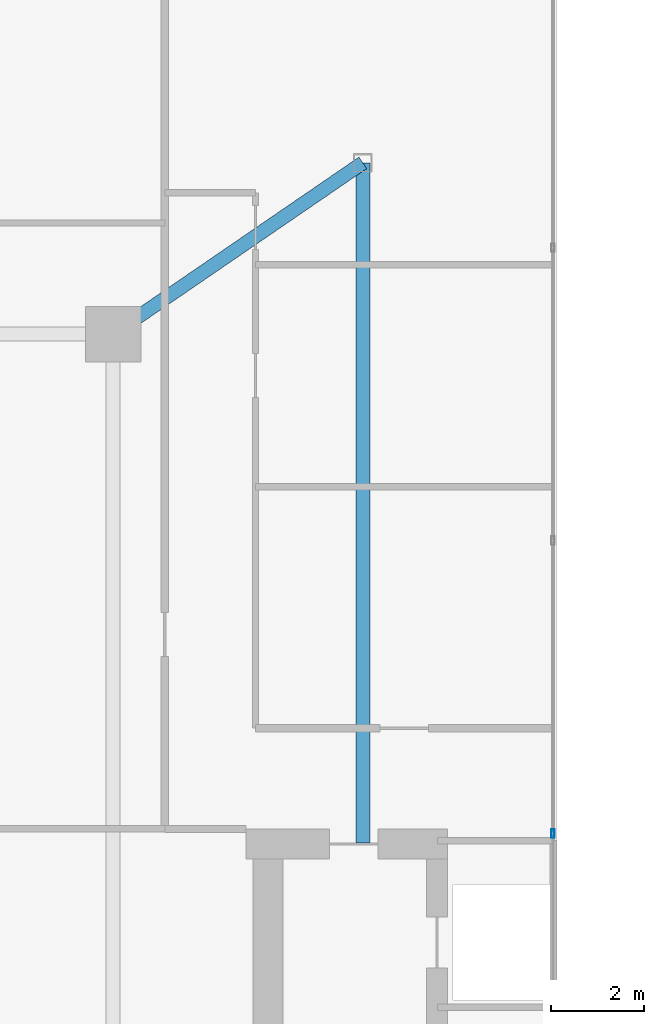
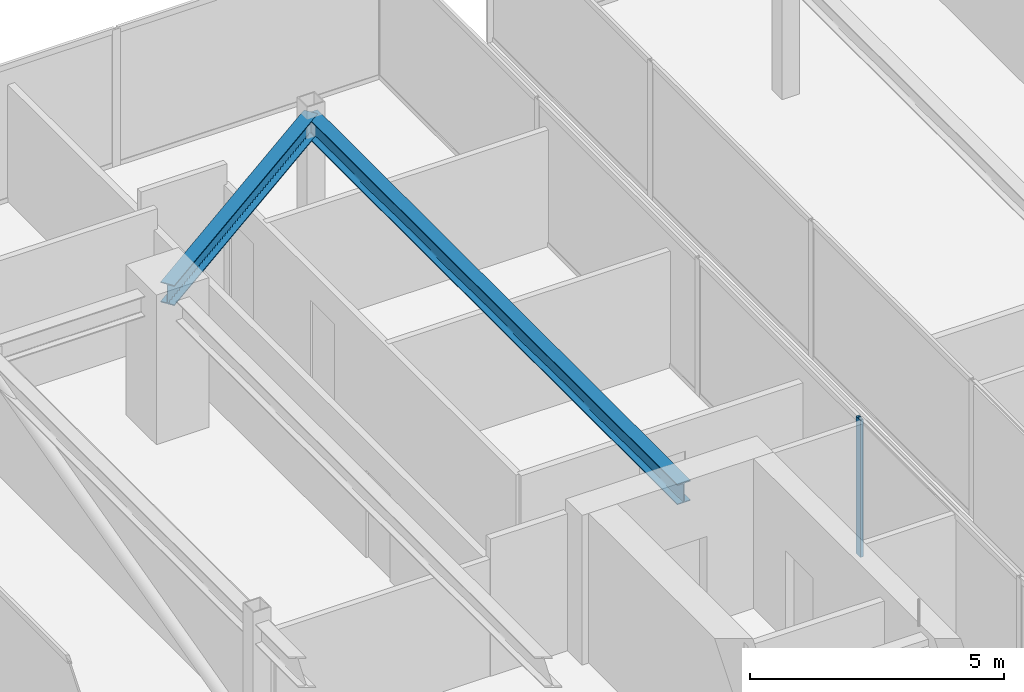
# One storey, part 11 of 25: 2 beams, 1 member, 1 element without a shape of its own.
"""IFC4 building model written with IfcOpenShell, lengths in metres."""

import ifcopenshell
import ifcopenshell.guid

model = None  # the IFC model being written
_history = None  # IfcOwnerHistory: only IFC2X3 demands one
_inside = {}  # id of a spatial element -> (the spatial element, [elements in it])
_under = {}  # id of a project, library or spatial element -> (it, [spatial elements below it])
_declared = {}  # id of a project -> (the project, [libraries it declares])
_typed = {}  # id of a type object -> (the type object, [elements of that type])
_made_of = {}  # id of a material, layer set ... -> (it, [elements and type objects made of it])


def new_model(schema):
    """Start an empty IFC model of exactly this schema.

    Asked for "IFC4X3", IfcOpenShell would pick the latest addendum, in which some entities
    have other attributes; the version numbers below select the first issue.
    IFC2X3 requires an IfcOwnerHistory on every rooted entity: one is made here for all.
    """
    global model, _history
    if schema == "IFC4X3":
        model = ifcopenshell.file(schema_version=(4, 3, 0, 0))
    else:
        model = ifcopenshell.file(schema=schema)
    _inside.clear()
    _under.clear()
    _declared.clear()
    _typed.clear()
    _made_of.clear()
    _history = None
    if model.schema == "IFC2X3":
        org = make("IfcOrganization", Name="unknown")
        user = make(
            "IfcPersonAndOrganization",
            ThePerson=make("IfcPerson", FamilyName="unknown"),
            TheOrganization=org,
        )
        app = make(
            "IfcApplication",
            ApplicationDeveloper=org,
            Version="unknown",
            ApplicationFullName="unknown",
            ApplicationIdentifier="unknown",
        )
        _history = make(
            "IfcOwnerHistory",
            OwningUser=user,
            OwningApplication=app,
            ChangeAction="ADDED",
            CreationDate=0,
        )
    return model


def make(cls, **values):
    """One entity of the class cls with the attributes given. An attribute that is None is left unset."""
    return model.create_entity(
        cls, **{name: value for name, value in values.items() if value is not None}
    )


def rooted(cls, **values):
    """An entity with a GlobalId (a new one), such as an element, a storey or a relation."""
    return make(cls, GlobalId=ifcopenshell.guid.new(), OwnerHistory=_history, **values)


def si_unit(unit_type, name, prefix=None):
    """IfcSIUnit, for example si_unit("LENGTHUNIT", "METRE", prefix="MILLI")."""
    return make("IfcSIUnit", UnitType=unit_type, Prefix=prefix, Name=name)


def assignment(units):
    """IfcUnitAssignment: the units of a project."""
    return None if units is None else make("IfcUnitAssignment", Units=units)


def point(xyz):
    """IfcCartesianPoint."""
    return None if xyz is None else make("IfcCartesianPoint", Coordinates=xyz)


def direction(xyz):
    """IfcDirection."""
    return None if xyz is None else make("IfcDirection", DirectionRatios=xyz)


def frame(location, z_axis=None, x_axis=None):
    """IfcAxis2Placement3D, a coordinate frame: its origin and axes. An axis left out is left unset."""
    return make(
        "IfcAxis2Placement3D",
        Location=point(location),
        Axis=direction(z_axis),
        RefDirection=direction(x_axis),
    )


def frame_2d(location, x_axis=None):
    """IfcAxis2Placement2D, a coordinate frame in the plane: its origin and x axis."""
    return make(
        "IfcAxis2Placement2D", Location=point(location), RefDirection=direction(x_axis)
    )


def origin():
    """The frame at (0, 0, 0) with its axes left unset."""
    return frame((0.0, 0.0, 0.0))


def origin_2d():
    """The frame at (0, 0) in the plane with its x axis left unset."""
    return frame_2d((0.0, 0.0))


def place(relative_to, where):
    """IfcLocalPlacement: puts the frame where relative to a parent placement (None: the world)."""
    return make(
        "IfcLocalPlacement", PlacementRelTo=relative_to, RelativePlacement=where
    )


def context(
    kind, dimensions, precision=None, world=None, true_north=None, identifier=None
):
    """IfcGeometricRepresentationContext, for example the 3D "Model" context."""
    return make(
        "IfcGeometricRepresentationContext",
        ContextIdentifier=identifier,
        ContextType=kind,
        CoordinateSpaceDimension=dimensions,
        Precision=precision,
        WorldCoordinateSystem=world,
        TrueNorth=true_north,
    )


def subcontext(parent, identifier, kind, view, scale=None):
    """IfcGeometricRepresentationSubContext, for example "Body" below "Model"."""
    return make(
        "IfcGeometricRepresentationSubContext",
        ContextIdentifier=identifier,
        ContextType=kind,
        ParentContext=parent,
        TargetScale=scale,
        TargetView=view,
    )


def project(units=None, contexts=None):
    """IfcProject with its units and contexts."""
    return rooted(
        "IfcProject",
        Name="project",
        RepresentationContexts=contexts,
        UnitsInContext=assignment(units),
    )


def spatial(cls, under=None, at=None, **own):
    """A site, building, storey or space (cls), placed at a placement, below another one or the project."""
    s = rooted(cls, ObjectPlacement=at, **own)
    if under is not None:
        _under.setdefault(under.id(), (under, []))[1].append(s)
    return s


def profile(cls, at=None, kind="AREA", **sizes):
    """A parametric profile (cls). Its sizes go by their IFC names, for example OverallWidth=200.0."""
    return make(cls, ProfileType=kind, Position=at, **sizes)


def hollow_rectangle(**sizes):
    """IfcRectangleHollowProfileDef."""
    return profile("IfcRectangleHollowProfileDef", **sizes)


def i_section(**sizes):
    """IfcIShapeProfileDef."""
    return profile("IfcIShapeProfileDef", **sizes)


def extrude(swept, where, along, depth):
    """IfcExtrudedAreaSolid: the profile swept, set in the frame where, extruded along a direction by depth."""
    return make(
        "IfcExtrudedAreaSolid",
        SweptArea=swept,
        Position=where,
        ExtrudedDirection=direction(along),
        Depth=depth,
    )


def shape(context_of_items, identifier, shape_type, items):
    """IfcShapeRepresentation: the items that make up one representation, for example the "Body"."""
    return make(
        "IfcShapeRepresentation",
        ContextOfItems=context_of_items,
        RepresentationIdentifier=identifier,
        RepresentationType=shape_type,
        Items=items,
    )


def source(mapping_origin, context_of_items, identifier, shape_type, items):
    """IfcRepresentationMap: a shape defined once, which mapped items show again and again."""
    return make(
        "IfcRepresentationMap",
        MappingOrigin=mapping_origin,
        MappedRepresentation=shape(context_of_items, identifier, shape_type, items),
    )


def transform(
    local_origin,
    x_axis=None,
    y_axis=None,
    z_axis=None,
    scale=None,
    scale2=None,
    scale3=None,
    uniform=True,
):
    """IfcCartesianTransformationOperator3D, or its non-uniform kind. x_axis, y_axis, z_axis: its Axis1, 2, 3."""
    if uniform:
        return make(
            "IfcCartesianTransformationOperator3D",
            Axis1=direction(x_axis),
            Axis2=direction(y_axis),
            LocalOrigin=point(local_origin),
            Scale=scale,
            Axis3=direction(z_axis),
        )
    return make(
        "IfcCartesianTransformationOperator3DnonUniform",
        Axis1=direction(x_axis),
        Axis2=direction(y_axis),
        LocalOrigin=point(local_origin),
        Scale=scale,
        Axis3=direction(z_axis),
        Scale2=scale2,
        Scale3=scale3,
    )


def mapped(mapping_source, mapping_target):
    """IfcMappedItem: shows the shape of a source again, moved by a transform."""
    return make(
        "IfcMappedItem", MappingSource=mapping_source, MappingTarget=mapping_target
    )


def material(Name=None, Category=None):
    """IfcMaterial."""
    return make("IfcMaterial", Name=Name, Category=Category)


def material_profile(
    of_material, cross_section, Name=None, Category=None, Priority=None
):
    """IfcMaterialProfile: a cross section and its material."""
    return make(
        "IfcMaterialProfile",
        Name=Name,
        Material=of_material,
        Profile=cross_section,
        Priority=Priority,
        Category=Category,
    )


def profile_set(profiles, Name=None, composite=None):
    """IfcMaterialProfileSet."""
    return make(
        "IfcMaterialProfileSet",
        Name=Name,
        MaterialProfiles=profiles,
        CompositeProfile=composite,
    )


def made_of(thing, what):
    """Note that an element or type object is made of a material, layer set ...; save() writes the relation."""
    if what is not None:
        _made_of.setdefault(what.id(), (what, []))[1].append(thing)
    return thing


def type_object(cls, material=None, **own):
    """A type object (cls), such as IfcWallType, which elements share."""
    return made_of(rooted(cls, **own), material)


def type_shapes(of_type, sources):
    """Give a type object the sources (RepresentationMaps) that its elements show as mapped items."""
    of_type.RepresentationMaps = sources


def element(
    cls,
    number,
    at=None,
    inside=None,
    cuts=None,
    type_object=None,
    material=None,
    context=None,
    identifier="Body",
    shape_type=None,
    held_by="IfcProductDefinitionShape",
    body=None,
    shapes=None,
    **own,
):
    """One element of the class cls, such as IfcWall. Its Tag is "e" and its number.

    at: its placement. inside: the storey or other place that contains it. cuts: it is an
    opening in that element (IfcRelVoidsElement). A single representation is given by context,
    identifier, shape_type and body (its items); several are given by shapes. held_by: the class
    of the entity that holds the representations. save() writes the other relations.
    """
    e = rooted(cls, Tag="e%d" % number, ObjectPlacement=at, **own)
    if body is not None:
        shapes = [shape(context, identifier, shape_type, body)]
    if shapes is not None:
        e.Representation = make(held_by, Representations=shapes)
    if inside is not None:
        _inside.setdefault(inside.id(), (inside, []))[1].append(e)
    if cuts is not None:
        rooted(
            "IfcRelVoidsElement", RelatingBuildingElement=cuts, RelatedOpeningElement=e
        )
    if type_object is not None:
        _typed.setdefault(type_object.id(), (type_object, []))[1].append(e)
    return made_of(e, material)


def aggregate(whole, parts):
    """IfcRelAggregates: a whole, such as a stair, and the parts it consists of."""
    return rooted("IfcRelAggregates", RelatingObject=whole, RelatedObjects=parts)


def save(model, path):
    """Write the relations noted so far, then the file.

    IfcRelAggregates (storeys below a building ...), IfcRelContainedInSpatialStructure (elements
    in a storey), IfcRelDefinesByType, IfcRelAssociatesMaterial and IfcRelDeclares: one each for
    every whole, place, type object, material and project.
    """
    for whole, parts in _under.values():
        aggregate(whole, parts)
    for where, things in _inside.values():
        rooted(
            "IfcRelContainedInSpatialStructure",
            RelatedElements=things,
            RelatingStructure=where,
        )
    for kind, things in _typed.values():
        rooted("IfcRelDefinesByType", RelatedObjects=things, RelatingType=kind)
    for what, things in _made_of.values():
        rooted("IfcRelAssociatesMaterial", RelatedObjects=things, RelatingMaterial=what)
    for by, libraries in _declared.values():
        rooted("IfcRelDeclares", RelatingContext=by, RelatedDefinitions=libraries)
    model.write(path)


model = new_model("IFC4")

# Units and contexts
model_context = context("Model", 3, precision=1e-05, world=origin(), true_north=direction((0.0, 1.0)))
body_context = subcontext(model_context, "Body", "Model", "MODEL_VIEW")
ifc_project = project(units=[si_unit("LENGTHUNIT", "METRE"), si_unit("AREAUNIT", "SQUARE_METRE"), si_unit("VOLUMEUNIT", "CUBIC_METRE"), si_unit("PLANEANGLEUNIT", "RADIAN"), si_unit("MASSUNIT", "GRAM", prefix="KILO")], contexts=[model_context])

# Site, building, storey
site_placement = place(None, origin())
site = spatial("IfcSite", under=ifc_project, at=site_placement, CompositionType="ELEMENT")
building_placement = place(site_placement, origin())
building = spatial("IfcBuilding", under=site, at=building_placement, Name="Krantzveldt Concourse Tower", CompositionType="ELEMENT")
storey_placement = place(building_placement, frame((0.0, 0.0, 374.64990234375)))
storey = spatial("IfcBuildingStorey", under=building, at=storey_placement, Name="L92", CompositionType="ELEMENT", Elevation=374.64990234375)

# Beams
ifc_material_1 = material(Name="Steel S355JR", Category="steel")
ifc_material_profile_1 = material_profile(ifc_material_1, i_section(OverallWidth=0.300048828125, OverallDepth=0.489990234375, WebThickness=0.011962890625, FlangeThickness=0.02294921875, FilletRadius=0.027099609375, at=origin_2d()), Name="Steel S355JR", Category="steel")
ifc_profile_set_1 = profile_set([ifc_material_profile_1], Name="Steel S355JR - HEA 500")
beam_type = type_object("IfcBeamType", Name="BM-B-HEA500", PredefinedType="BEAM", material=ifc_profile_set_1)
shared_shape_1 = source(origin(), body_context, "Body", "SweptSolid", [
    extrude(i_section(OverallWidth=0.300048828125, OverallDepth=0.489990234375, WebThickness=0.011962890625, FlangeThickness=0.02294921875, FilletRadius=0.027099609375, at=origin_2d()), origin(), (0.0, 0.0, 1.0), 6.546142578125),
])
beam_1_placement = place(storey_placement, frame((25.199951171875, 37.5, 3.05517578125), z_axis=(0.824942999484, 0.565215930068, 0.0), x_axis=(-0.565215930068, 0.824942999484, 0.0)))
element("IfcBeam", 1, at=beam_1_placement, inside=storey, type_object=beam_type, Name="L92 Crown Girder WEST-4", PredefinedType="BEAM", context=body_context, shape_type="MappedRepresentation", body=[
    mapped(shared_shape_1, transform((0.0, 0.0, 0.0), x_axis=(1.0, 0.0, 0.0), y_axis=(0.0, 1.0, 0.0), z_axis=(0.0, 0.0, 1.0), scale=1.0)),
])
shared_shape_2 = source(origin(), body_context, "Body", "SweptSolid", [
    extrude(i_section(OverallWidth=0.300048828125, OverallDepth=0.489990234375, WebThickness=0.011962890625, FlangeThickness=0.02294921875, FilletRadius=0.027099609375, at=origin_2d()), origin(), (0.0, 0.0, 1.0), 14.699951171875),
])
type_shapes(beam_type, [shared_shape_1, shared_shape_2])
beam_2_placement = place(storey_placement, frame((30.60009765625, 41.199951171875, 3.05517578125), z_axis=(0.0, -1.0, 0.0), x_axis=(1.0, 0.0, 0.0)))
element("IfcBeam", 2, at=beam_2_placement, inside=storey, type_object=beam_type, Name="L92 Crown Girder WEST-5", PredefinedType="BEAM", context=body_context, shape_type="MappedRepresentation", body=[
    mapped(shared_shape_2, transform((0.0, 0.0, 0.0), x_axis=(1.0, 0.0, 0.0), y_axis=(0.0, 1.0, 0.0), z_axis=(0.0, 0.0, 1.0), scale=1.0)),
])

# Curtain wall, member
ifc_material_2 = material(Name="Anodised aluminium 6063-T6", Category="aluminium")
curtain_wall_type = type_object("IfcCurtainWallType", Name="CW7", PredefinedType="USERDEFINED", material=ifc_material_2)
curtain_wall_placement = place(storey_placement, origin())
curtain_wall = element("IfcCurtainWall", 3, at=curtain_wall_placement, inside=storey, type_object=curtain_wall_type, Name="CW-L92-WEST-01", ObjectType="UNITISED CURTAIN WALL", PredefinedType="USERDEFINED")
ifc_material_profile_2 = material_profile(ifc_material_2, hollow_rectangle(XDim=0.070068359375, YDim=0.179931640625, WallThickness=0.0048828125, at=origin_2d()), Name="Anodised aluminium 6063-T6", Category="aluminium")
ifc_profile_set_2 = profile_set([ifc_material_profile_2], Name="Anodised aluminium 6063-T6 - ALU-MULL 180x70x5")
member_type = type_object("IfcMemberType", Name="CW-MUL-180", PredefinedType="MULLION", material=ifc_profile_set_2)
shared_shape_3 = source(origin(), body_context, "Body", "SweptSolid", [
    extrude(hollow_rectangle(XDim=0.070068359375, YDim=0.179931640625, WallThickness=0.0048828125, at=origin_2d()), origin(), (0.0, 0.0, 1.0), 3.300048828125),
])
type_shapes(member_type, [shared_shape_3])
member_placement = place(storey_placement, frame((34.7099609375, 26.699951171875, 0.0), z_axis=(0.0, 0.0, 1.0), x_axis=(-1.0, 0.0, 0.0)))
member = element("IfcMember", 4, at=member_placement, type_object=member_type, Name="CW-CRN mullion 4", PredefinedType="MULLION", context=body_context, shape_type="MappedRepresentation", body=[
    mapped(shared_shape_3, transform((0.0, 0.0, 0.0), x_axis=(1.0, 0.0, 0.0), y_axis=(0.0, 1.0, 0.0), z_axis=(0.0, 0.0, 1.0), scale=1.0)),
])
aggregate(curtain_wall, [member])

save(model, "model.ifc")
